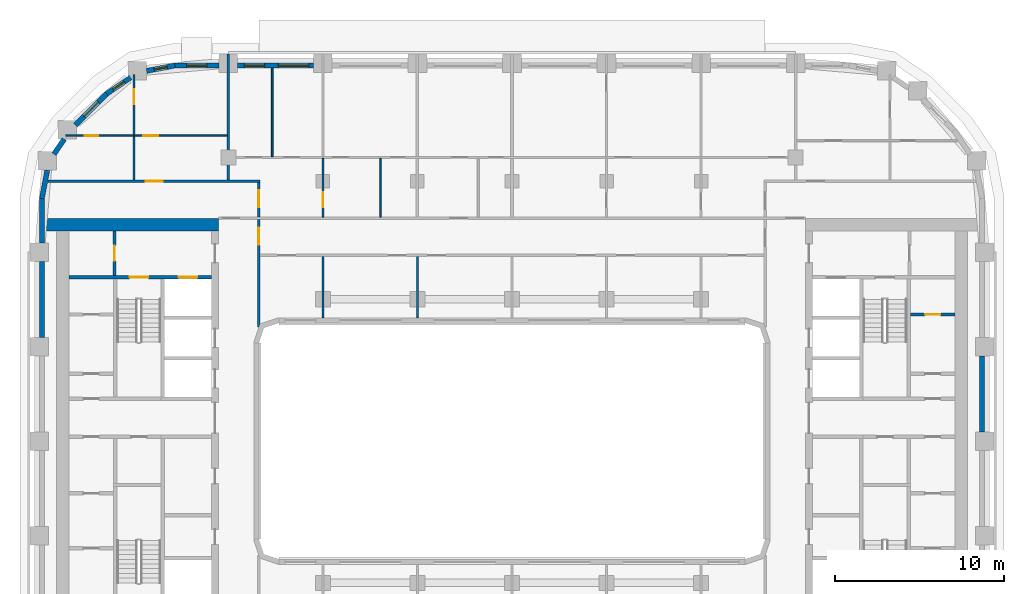
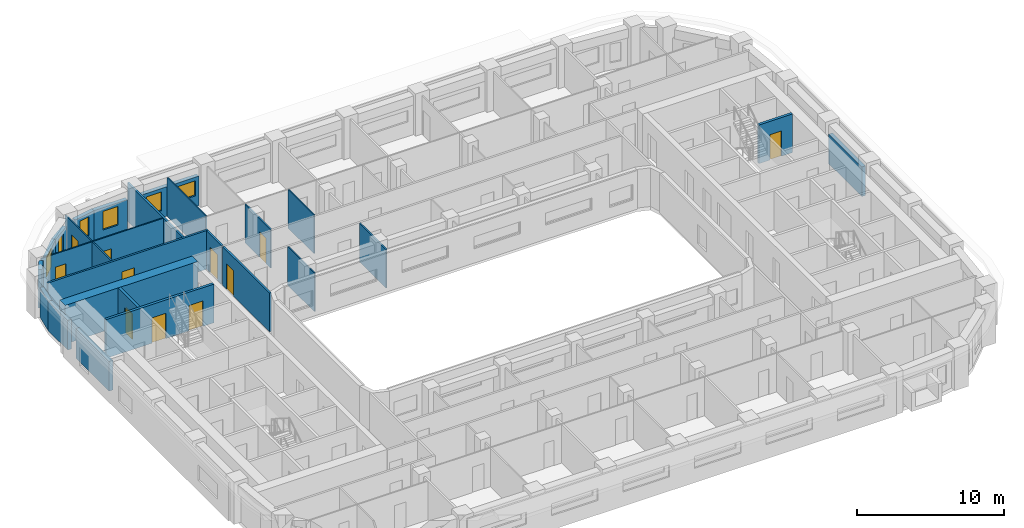
# One storey, part 7 of 22: 26 walls, 11 doors, 6 windows, 17 openings.
"""IFC4 building model written with IfcOpenShell, lengths in metres."""

import ifcopenshell
import ifcopenshell.guid

model = None  # the IFC model being written
_history = None  # IfcOwnerHistory: only IFC2X3 demands one
_inside = {}  # id of a spatial element -> (the spatial element, [elements in it])
_under = {}  # id of a project, library or spatial element -> (it, [spatial elements below it])
_declared = {}  # id of a project -> (the project, [libraries it declares])
_typed = {}  # id of a type object -> (the type object, [elements of that type])
_made_of = {}  # id of a material, layer set ... -> (it, [elements and type objects made of it])


def new_model(schema):
    """Start an empty IFC model of exactly this schema.

    Asked for "IFC4X3", IfcOpenShell would pick the latest addendum, in which some entities
    have other attributes; the version numbers below select the first issue.
    IFC2X3 requires an IfcOwnerHistory on every rooted entity: one is made here for all.
    """
    global model, _history
    if schema == "IFC4X3":
        model = ifcopenshell.file(schema_version=(4, 3, 0, 0))
    else:
        model = ifcopenshell.file(schema=schema)
    _inside.clear()
    _under.clear()
    _declared.clear()
    _typed.clear()
    _made_of.clear()
    _history = None
    if model.schema == "IFC2X3":
        org = make("IfcOrganization", Name="unknown")
        user = make(
            "IfcPersonAndOrganization",
            ThePerson=make("IfcPerson", FamilyName="unknown"),
            TheOrganization=org,
        )
        app = make(
            "IfcApplication",
            ApplicationDeveloper=org,
            Version="unknown",
            ApplicationFullName="unknown",
            ApplicationIdentifier="unknown",
        )
        _history = make(
            "IfcOwnerHistory",
            OwningUser=user,
            OwningApplication=app,
            ChangeAction="ADDED",
            CreationDate=0,
        )
    return model


def make(cls, **values):
    """One entity of the class cls with the attributes given. An attribute that is None is left unset."""
    return model.create_entity(
        cls, **{name: value for name, value in values.items() if value is not None}
    )


def rooted(cls, **values):
    """An entity with a GlobalId (a new one), such as an element, a storey or a relation."""
    return make(cls, GlobalId=ifcopenshell.guid.new(), OwnerHistory=_history, **values)


def si_unit(unit_type, name, prefix=None):
    """IfcSIUnit, for example si_unit("LENGTHUNIT", "METRE", prefix="MILLI")."""
    return make("IfcSIUnit", UnitType=unit_type, Prefix=prefix, Name=name)


def assignment(units):
    """IfcUnitAssignment: the units of a project."""
    return None if units is None else make("IfcUnitAssignment", Units=units)


def point(xyz):
    """IfcCartesianPoint."""
    return None if xyz is None else make("IfcCartesianPoint", Coordinates=xyz)


def direction(xyz):
    """IfcDirection."""
    return None if xyz is None else make("IfcDirection", DirectionRatios=xyz)


def frame(location, z_axis=None, x_axis=None):
    """IfcAxis2Placement3D, a coordinate frame: its origin and axes. An axis left out is left unset."""
    return make(
        "IfcAxis2Placement3D",
        Location=point(location),
        Axis=direction(z_axis),
        RefDirection=direction(x_axis),
    )


def frame_2d(location, x_axis=None):
    """IfcAxis2Placement2D, a coordinate frame in the plane: its origin and x axis."""
    return make(
        "IfcAxis2Placement2D", Location=point(location), RefDirection=direction(x_axis)
    )


def origin():
    """The frame at (0, 0, 0) with its axes left unset."""
    return frame((0.0, 0.0, 0.0))


def place(relative_to, where):
    """IfcLocalPlacement: puts the frame where relative to a parent placement (None: the world)."""
    return make(
        "IfcLocalPlacement", PlacementRelTo=relative_to, RelativePlacement=where
    )


def context(
    kind, dimensions, precision=None, world=None, true_north=None, identifier=None
):
    """IfcGeometricRepresentationContext, for example the 3D "Model" context."""
    return make(
        "IfcGeometricRepresentationContext",
        ContextIdentifier=identifier,
        ContextType=kind,
        CoordinateSpaceDimension=dimensions,
        Precision=precision,
        WorldCoordinateSystem=world,
        TrueNorth=true_north,
    )


def subcontext(parent, identifier, kind, view, scale=None):
    """IfcGeometricRepresentationSubContext, for example "Body" below "Model"."""
    return make(
        "IfcGeometricRepresentationSubContext",
        ContextIdentifier=identifier,
        ContextType=kind,
        ParentContext=parent,
        TargetScale=scale,
        TargetView=view,
    )


def project(units=None, contexts=None):
    """IfcProject with its units and contexts."""
    return rooted(
        "IfcProject",
        Name="project",
        RepresentationContexts=contexts,
        UnitsInContext=assignment(units),
    )


def spatial(cls, under=None, at=None, **own):
    """A site, building, storey or space (cls), placed at a placement, below another one or the project."""
    s = rooted(cls, ObjectPlacement=at, **own)
    if under is not None:
        _under.setdefault(under.id(), (under, []))[1].append(s)
    return s


def profile(cls, at=None, kind="AREA", **sizes):
    """A parametric profile (cls). Its sizes go by their IFC names, for example OverallWidth=200.0."""
    return make(cls, ProfileType=kind, Position=at, **sizes)


def rectangle(**sizes):
    """IfcRectangleProfileDef."""
    return profile("IfcRectangleProfileDef", **sizes)


def extrude(swept, where, along, depth):
    """IfcExtrudedAreaSolid: the profile swept, set in the frame where, extruded along a direction by depth."""
    return make(
        "IfcExtrudedAreaSolid",
        SweptArea=swept,
        Position=where,
        ExtrudedDirection=direction(along),
        Depth=depth,
    )


def shape(context_of_items, identifier, shape_type, items):
    """IfcShapeRepresentation: the items that make up one representation, for example the "Body"."""
    return make(
        "IfcShapeRepresentation",
        ContextOfItems=context_of_items,
        RepresentationIdentifier=identifier,
        RepresentationType=shape_type,
        Items=items,
    )


def material(Name=None, Category=None):
    """IfcMaterial."""
    return make("IfcMaterial", Name=Name, Category=Category)


def layer(
    of_material, thickness, ventilated=None, Name=None, Category=None, Priority=None
):
    """IfcMaterialLayer: one layer of a wall or slab, of a material (None: an air gap)."""
    return make(
        "IfcMaterialLayer",
        Material=of_material,
        LayerThickness=thickness,
        IsVentilated=ventilated,
        Name=Name,
        Category=Category,
        Priority=Priority,
    )


def layer_set(layers, Name=None):
    """IfcMaterialLayerSet."""
    return make("IfcMaterialLayerSet", MaterialLayers=layers, LayerSetName=Name)


def made_of(thing, what):
    """Note that an element or type object is made of a material, layer set ...; save() writes the relation."""
    if what is not None:
        _made_of.setdefault(what.id(), (what, []))[1].append(thing)
    return thing


def type_object(cls, material=None, **own):
    """A type object (cls), such as IfcWallType, which elements share."""
    return made_of(rooted(cls, **own), material)


def element(
    cls,
    number,
    at=None,
    inside=None,
    cuts=None,
    type_object=None,
    material=None,
    context=None,
    identifier="Body",
    shape_type=None,
    held_by="IfcProductDefinitionShape",
    body=None,
    shapes=None,
    **own,
):
    """One element of the class cls, such as IfcWall. Its Tag is "e" and its number.

    at: its placement. inside: the storey or other place that contains it. cuts: it is an
    opening in that element (IfcRelVoidsElement). A single representation is given by context,
    identifier, shape_type and body (its items); several are given by shapes. held_by: the class
    of the entity that holds the representations. save() writes the other relations.
    """
    e = rooted(cls, Tag="e%d" % number, ObjectPlacement=at, **own)
    if body is not None:
        shapes = [shape(context, identifier, shape_type, body)]
    if shapes is not None:
        e.Representation = make(held_by, Representations=shapes)
    if inside is not None:
        _inside.setdefault(inside.id(), (inside, []))[1].append(e)
    if cuts is not None:
        rooted(
            "IfcRelVoidsElement", RelatingBuildingElement=cuts, RelatedOpeningElement=e
        )
    if type_object is not None:
        _typed.setdefault(type_object.id(), (type_object, []))[1].append(e)
    return made_of(e, material)


def fill(opening, filler):
    """IfcRelFillsElement: the door or window that sits in an opening."""
    return rooted(
        "IfcRelFillsElement",
        RelatingOpeningElement=opening,
        RelatedBuildingElement=filler,
    )


def aggregate(whole, parts):
    """IfcRelAggregates: a whole, such as a stair, and the parts it consists of."""
    return rooted("IfcRelAggregates", RelatingObject=whole, RelatedObjects=parts)


def save(model, path):
    """Write the relations noted so far, then the file.

    IfcRelAggregates (storeys below a building ...), IfcRelContainedInSpatialStructure (elements
    in a storey), IfcRelDefinesByType, IfcRelAssociatesMaterial and IfcRelDeclares: one each for
    every whole, place, type object, material and project.
    """
    for whole, parts in _under.values():
        aggregate(whole, parts)
    for where, things in _inside.values():
        rooted(
            "IfcRelContainedInSpatialStructure",
            RelatedElements=things,
            RelatingStructure=where,
        )
    for kind, things in _typed.values():
        rooted("IfcRelDefinesByType", RelatedObjects=things, RelatingType=kind)
    for what, things in _made_of.values():
        rooted("IfcRelAssociatesMaterial", RelatedObjects=things, RelatingMaterial=what)
    for by, libraries in _declared.values():
        rooted("IfcRelDeclares", RelatingContext=by, RelatedDefinitions=libraries)
    model.write(path)


model = new_model("IFC4")

# Units and contexts
model_context = context("Model", 3, precision=1e-05, world=origin(), true_north=direction((0.0, 1.0)))
body_context = subcontext(model_context, "Body", "Model", "MODEL_VIEW")
ifc_project = project(units=[si_unit("LENGTHUNIT", "METRE"), si_unit("AREAUNIT", "SQUARE_METRE"), si_unit("VOLUMEUNIT", "CUBIC_METRE"), si_unit("PLANEANGLEUNIT", "RADIAN"), si_unit("MASSUNIT", "GRAM", prefix="KILO")], contexts=[model_context])

# Site, building, storey
site_placement = place(None, origin())
site = spatial("IfcSite", under=ifc_project, at=site_placement, CompositionType="ELEMENT")
building_placement = place(site_placement, origin())
building = spatial("IfcBuilding", under=site, at=building_placement, Name="Kiln Ring Residences", CompositionType="ELEMENT")
storey_placement = place(building_placement, frame((0.0, 0.0, 150.10009765625)))
storey = spatial("IfcBuildingStorey", under=building, at=storey_placement, Name="L38", CompositionType="ELEMENT", Elevation=150.10009765625)

# Wall, opening, door
ifc_material_1 = material(Name="Gypsum board on steel studs", Category="steel")
ifc_layer_1 = layer(ifc_material_1, 0.199951171875)
ifc_layer_set_1 = layer_set([ifc_layer_1], Name="CORE-PARTITION-200")
wall_type_1 = type_object("IfcWallType", Name="CORE-PARTITION-200", PredefinedType="PARTITIONING", material=ifc_layer_set_1)
wall_1_placement = place(storey_placement, frame((-23.550048828125, 9.800048828125, 0.0), z_axis=(0.0, 0.0, 1.0), x_axis=(0.0, 1.0, 0.0)))
wall_1 = element("IfcWall", 1, at=wall_1_placement, inside=storey, type_object=wall_type_1, Name="Core partition west L38 4", PredefinedType="PARTITIONING", context=body_context, shape_type="SweptSolid", body=[
    extrude(rectangle(XDim=2.64990234375, YDim=0.199951171875, at=frame_2d((1.324951171875, 0.0))), origin(), (0.0, 0.0, 1.0), 3.199951171875),
])
opening_1_placement = place(wall_1_placement, frame((0.875, 0.0, 0.0)))
opening_1 = element("IfcOpeningElement", 2, at=opening_1_placement, cuts=wall_1, Name="Opening L38-CW09", PredefinedType="OPENING", context=body_context, shape_type="SweptSolid", body=[
    extrude(rectangle(XDim=0.89990234375, YDim=2.10009765625, at=frame_2d((0.449951171875, 1.050048828125))), frame((0.0, 0.10986328125, 0.0), z_axis=(0.0, -1.0, 0.0), x_axis=(1.0, 0.0, 0.0)), (0.0, 0.0, 1.0), 0.219970703125),
])
ifc_material_2 = material(Name="Steel door leaf", Category="steel")
door_type_1 = type_object("IfcDoorType", Name="CORE-DOOR-ROOM", OperationType="SINGLE_SWING_LEFT", PredefinedType="DOOR", material=ifc_material_2)
door_1_placement = place(opening_1_placement, origin())
door_1 = element("IfcDoor", 3, at=door_1_placement, inside=storey, type_object=door_type_1, Name="Fire riser room L38-CW09", OperationType="SINGLE_SWING_LEFT", OverallHeight=2.10009765625, OverallWidth=0.89990234375, PredefinedType="DOOR", context=body_context, shape_type="SweptSolid", body=[
    extrude(rectangle(XDim=0.89990234375, YDim=2.10009765625, at=frame_2d((0.449951171875, 1.050048828125))), frame((0.0, 0.02490234375, 0.0), z_axis=(0.0, -1.0, 0.0), x_axis=(1.0, 0.0, 0.0)), (0.0, 0.0, 1.0), 0.050048828125),
])
fill(opening_1, door_1)

wall_2_placement = place(storey_placement, frame((23.60009765625, 7.5, 0.0), z_axis=(0.0, 0.0, 1.0), x_axis=(1.0, 0.0, 0.0)))
wall_2 = element("IfcWall", 4, at=wall_2_placement, inside=storey, type_object=wall_type_1, Name="Core partition east L38 9", PredefinedType="PARTITIONING", context=body_context, shape_type="SweptSolid", body=[
    extrude(rectangle(XDim=2.64990234375, YDim=0.199951171875, at=frame_2d((1.324951171875, 0.0))), origin(), (0.0, 0.0, 1.0), 3.199951171875),
])
opening_2_placement = place(wall_2_placement, frame((0.875, 0.0, 0.0)))
opening_2 = element("IfcOpeningElement", 5, at=opening_2_placement, cuts=wall_2, Name="Opening L38-CE19", PredefinedType="OPENING", context=body_context, shape_type="SweptSolid", body=[
    extrude(rectangle(XDim=0.89990234375, YDim=2.10009765625, at=frame_2d((0.449951171875, 1.050048828125))), frame((0.0, 0.10986328125, 0.0), z_axis=(0.0, -1.0, 0.0), x_axis=(1.0, 0.0, 0.0)), (0.0, 0.0, 1.0), 0.219970703125),
])
door_2_placement = place(opening_2_placement, origin())
door_2 = element("IfcDoor", 6, at=door_2_placement, inside=storey, type_object=door_type_1, Name="UPS room L38-CE19", OperationType="SINGLE_SWING_LEFT", OverallHeight=2.10009765625, OverallWidth=0.89990234375, PredefinedType="DOOR", context=body_context, shape_type="SweptSolid", body=[
    extrude(rectangle(XDim=0.89990234375, YDim=2.10009765625, at=frame_2d((0.449951171875, 1.050048828125))), frame((0.0, 0.02490234375, 0.0), z_axis=(0.0, -1.0, 0.0), x_axis=(1.0, 0.0, 0.0)), (0.0, 0.0, 1.0), 0.050048828125),
])
fill(opening_2, door_2)

# Wall, openings, doors
ifc_material_3 = material(Name="Concrete C40/50", Category="concrete")
ifc_layer_2 = layer(ifc_material_3, 0.199951171875)
ifc_layer_set_2 = layer_set([ifc_layer_2], Name="CORE-WALL-RC200")
wall_type_2 = type_object("IfcWallType", Name="CORE-WALL-RC200", PredefinedType="SHEAR", material=ifc_layer_set_2)
wall_3_placement = place(storey_placement, frame((-17.800048828125, 9.699951171875, 0.0), z_axis=(0.0, 0.0, 1.0), x_axis=(-1.0, 0.0, 0.0)))
wall_3 = element("IfcWall", 7, at=wall_3_placement, inside=storey, type_object=wall_type_2, Name="Core wall west L38 9", PredefinedType="SHEAR", context=body_context, shape_type="SweptSolid", body=[
    extrude(rectangle(XDim=8.449951171875, YDim=0.199951171875, at=frame_2d((4.22509765625, 0.0))), origin(), (0.0, 0.0, 1.0), 3.199951171875),
])
opening_3_placement = place(wall_3_placement, frame((0.85009765625, 0.0, 0.0)))
opening_3 = element("IfcOpeningElement", 8, at=opening_3_placement, cuts=wall_3, Name="Opening L38-CW06", PredefinedType="OPENING", context=body_context, shape_type="SweptSolid", body=[
    extrude(rectangle(XDim=1.10009765625, YDim=2.10009765625, at=frame_2d((0.550048828125, 1.050048828125))), frame((0.0, 0.10986328125, 0.0), z_axis=(0.0, -1.0, 0.0), x_axis=(1.0, 0.0, 0.0)), (0.0, 0.0, 1.0), 0.219970703125),
])
opening_4_placement = place(wall_3_placement, frame((3.75, 0.0, 0.0)))
opening_4 = element("IfcOpeningElement", 9, at=opening_4_placement, cuts=wall_3, Name="Opening L38-CW11", PredefinedType="OPENING", context=body_context, shape_type="SweptSolid", body=[
    extrude(rectangle(XDim=1.10009765625, YDim=2.10009765625, at=frame_2d((0.550048828125, 1.050048828125))), frame((0.0, 0.10986328125, 0.0), z_axis=(0.0, -1.0, 0.0), x_axis=(1.0, 0.0, 0.0)), (0.0, 0.0, 1.0), 0.219970703125),
])
ifc_material_4 = material(Name="Steel door leaf", Category="steel")
door_type_2 = type_object("IfcDoorType", Name="CORE-DOOR-LD", OperationType="DOUBLE_DOOR_SLIDING", PredefinedType="DOOR", material=ifc_material_4)
door_3_placement = place(opening_3_placement, origin())
door_3 = element("IfcDoor", 10, at=door_3_placement, inside=storey, type_object=door_type_2, Name="LD W-FF L38-CW06", OperationType="DOUBLE_DOOR_SLIDING", OverallHeight=2.10009765625, OverallWidth=1.10009765625, PredefinedType="DOOR", context=body_context, shape_type="SweptSolid", body=[
    extrude(rectangle(XDim=1.10009765625, YDim=2.10009765625, at=frame_2d((0.550048828125, 1.050048828125))), frame((0.0, 0.02490234375, 0.0), z_axis=(0.0, -1.0, 0.0), x_axis=(1.0, 0.0, 0.0)), (0.0, 0.0, 1.0), 0.050048828125),
])
fill(opening_3, door_3)
ifc_material_5 = material(Name="Steel door leaf", Category="steel")
door_type_3 = type_object("IfcDoorType", Name="CORE-DOOR-STAIR", OperationType="SINGLE_SWING_LEFT", PredefinedType="DOOR", material=ifc_material_5)
door_4_placement = place(opening_4_placement, origin())
door_4 = element("IfcDoor", 11, at=door_4_placement, inside=storey, type_object=door_type_3, Name="Stair W-STN L38-CW11", OperationType="SINGLE_SWING_LEFT", OverallHeight=2.10009765625, OverallWidth=1.10009765625, PredefinedType="DOOR", context=body_context, shape_type="SweptSolid", body=[
    extrude(rectangle(XDim=1.10009765625, YDim=2.10009765625, at=frame_2d((0.550048828125, 1.050048828125))), frame((0.0, 0.02490234375, 0.0), z_axis=(0.0, -1.0, 0.0), x_axis=(1.0, 0.0, 0.0)), (0.0, 0.0, 1.0), 0.050048828125),
])
fill(opening_4, door_4)

# Walls
ifc_material_6 = material(Name="Concrete C60/75", Category="concrete")
ifc_layer_3 = layer(ifc_material_6, 0.75)
ifc_layer_set_3 = layer_set([ifc_layer_3], Name="CORE-WALL-RC750")
wall_type_3 = type_object("IfcWallType", Name="CORE-WALL-RC750", PredefinedType="SHEAR", material=ifc_layer_set_3)
wall_4_placement = place(storey_placement, frame((-17.39990234375, 12.824951171875, 0.0), z_axis=(0.0, 0.0, 1.0), x_axis=(-1.0, 0.0, 0.0)))
element("IfcWall", 12, at=wall_4_placement, inside=storey, type_object=wall_type_3, Name="Core wall west L38 4", PredefinedType="SHEAR", context=body_context, shape_type="SweptSolid", body=[
    extrude(rectangle(XDim=10.400146484375, YDim=0.75, at=frame_2d((5.2001953125, 0.0))), origin(), (0.0, 0.0, 1.0), 3.199951171875),
])
ifc_material_7 = material(Name="Brick masonry, dark clay brick", Category="masonry")
ifc_layer_4 = layer(ifc_material_7, 0.300048828125)
ifc_layer_set_4 = layer_set([ifc_layer_4], Name="EW-300 BRICK WALL")
wall_type_4 = type_object("IfcWallType", Name="EW-300 BRICK WALL", PredefinedType="SOLIDWALL", material=ifc_layer_set_4)
wall_5_placement = place(storey_placement, frame((27.85009765625, 0.550048828125, 0.0), z_axis=(0.0, 0.0, 1.0), x_axis=(0.0, 1.0, 0.0)))
element("IfcWall", 13, at=wall_5_placement, inside=storey, type_object=wall_type_4, Name="Facade wall L38 20", PredefinedType="SOLIDWALL", context=body_context, shape_type="SweptSolid", body=[
    extrude(rectangle(XDim=4.5, YDim=0.300048828125, at=frame_2d((2.25, 0.0))), origin(), (0.0, 0.0, 1.0), 2.449951171875),
])

# Wall, openings, windows
wall_6_placement = place(storey_placement, frame((-11.75, 22.25, 0.0), z_axis=(0.0, 0.0, 1.0), x_axis=(-1.0, 0.0, 0.0)))
wall_6 = element("IfcWall", 14, at=wall_6_placement, inside=storey, type_object=wall_type_4, Name="Facade wall L38 34", PredefinedType="SOLIDWALL", context=body_context, shape_type="SweptSolid", body=[
    extrude(rectangle(XDim=4.5, YDim=0.300048828125, at=frame_2d((2.25, 0.0))), origin(), (0.0, 0.0, 1.0), 2.449951171875),
])
opening_5_placement = place(wall_6_placement, frame((0.28759765625, 0.0, 0.89990234375)))
opening_5 = element("IfcOpeningElement", 15, at=opening_5_placement, cuts=wall_6, Name="Opening W2", PredefinedType="OPENING", context=body_context, shape_type="SweptSolid", body=[
    extrude(rectangle(XDim=1.800048828125, YDim=1.25, at=frame_2d((0.89990234375, 0.625))), frame((0.0, 0.159912109375, 0.0), z_axis=(0.0, -1.0, 0.0), x_axis=(1.0, 0.0, 0.0)), (0.0, 0.0, 1.0), 0.320068359375),
])
opening_6_placement = place(wall_6_placement, frame((2.91259765625, 0.0, 0.60009765625)))
opening_6 = element("IfcOpeningElement", 16, at=opening_6_placement, cuts=wall_6, Name="Opening W1", PredefinedType="OPENING", context=body_context, shape_type="SweptSolid", body=[
    extrude(rectangle(XDim=1.199951171875, YDim=1.550048828125, at=frame_2d((0.60009765625, 0.77490234375))), frame((0.0, 0.159912109375, 0.0), z_axis=(0.0, -1.0, 0.0), x_axis=(1.0, 0.0, 0.0)), (0.0, 0.0, 1.0), 0.320068359375),
])
ifc_material_8 = material(Name="Aluminium frame with double glazing", Category="aluminium")
window_type_1 = type_object("IfcWindowType", Name="WINDOW 1200 x 1550", PartitioningType="SINGLE_PANEL", PredefinedType="WINDOW", material=ifc_material_8)
window_1_placement = place(opening_6_placement, origin())
window_1 = element("IfcWindow", 17, at=window_1_placement, inside=storey, type_object=window_type_1, Name="Window L38 23", OverallHeight=1.550048828125, OverallWidth=1.199951171875, PartitioningType="SINGLE_PANEL", PredefinedType="WINDOW", context=body_context, shape_type="SweptSolid", body=[
    extrude(rectangle(XDim=1.199951171875, YDim=1.550048828125, at=frame_2d((0.60009765625, 0.77490234375))), frame((0.0, 0.030029296875, 0.0), z_axis=(0.0, -1.0, 0.0), x_axis=(1.0, 0.0, 0.0)), (0.0, 0.0, 1.0), 0.06005859375),
])
fill(opening_6, window_1)
ifc_material_9 = material(Name="Aluminium frame with double glazing", Category="aluminium")
window_type_2 = type_object("IfcWindowType", Name="WINDOW 1800 x 1250", PartitioningType="SINGLE_PANEL", PredefinedType="WINDOW", material=ifc_material_9)
window_2_placement = place(opening_5_placement, origin())
window_2 = element("IfcWindow", 18, at=window_2_placement, inside=storey, type_object=window_type_2, Name="Window L38 22", OverallHeight=1.25, OverallWidth=1.800048828125, PartitioningType="SINGLE_PANEL", PredefinedType="WINDOW", context=body_context, shape_type="SweptSolid", body=[
    extrude(rectangle(XDim=1.800048828125, YDim=1.25, at=frame_2d((0.89990234375, 0.625))), frame((0.0, 0.030029296875, 0.0), z_axis=(0.0, -1.0, 0.0), x_axis=(1.0, 0.0, 0.0)), (0.0, 0.0, 1.0), 0.06005859375),
])
fill(opening_5, window_2)

# Wall, opening, window
wall_7_placement = place(storey_placement, frame((-17.35009765625, 22.25, 0.0), z_axis=(0.0, 0.0, 1.0), x_axis=(-1.0, 0.0, 0.0)))
wall_7 = element("IfcWall", 19, at=wall_7_placement, inside=storey, type_object=wall_type_4, Name="Facade wall L38 35", PredefinedType="SOLIDWALL", context=body_context, shape_type="SweptSolid", body=[
    extrude(rectangle(XDim=2.64990234375, YDim=0.300048828125, at=frame_2d((1.324951171875, 0.0))), origin(), (0.0, 0.0, 1.0), 2.449951171875),
])
opening_7_placement = place(wall_7_placement, frame((0.72509765625, 0.0, 0.60009765625)))
opening_7 = element("IfcOpeningElement", 20, at=opening_7_placement, cuts=wall_7, Name="Opening W1", PredefinedType="OPENING", context=body_context, shape_type="SweptSolid", body=[
    extrude(rectangle(XDim=1.199951171875, YDim=1.550048828125, at=frame_2d((0.60009765625, 0.77490234375))), frame((0.0, 0.159912109375, 0.0), z_axis=(0.0, -1.0, 0.0), x_axis=(1.0, 0.0, 0.0)), (0.0, 0.0, 1.0), 0.320068359375),
])
window_3_placement = place(opening_7_placement, origin())
window_3 = element("IfcWindow", 21, at=window_3_placement, inside=storey, type_object=window_type_1, Name="Window L38 24", OverallHeight=1.550048828125, OverallWidth=1.199951171875, PartitioningType="SINGLE_PANEL", PredefinedType="WINDOW", context=body_context, shape_type="SweptSolid", body=[
    extrude(rectangle(XDim=1.199951171875, YDim=1.550048828125, at=frame_2d((0.60009765625, 0.77490234375))), frame((0.0, 0.030029296875, 0.0), z_axis=(0.0, -1.0, 0.0), x_axis=(1.0, 0.0, 0.0)), (0.0, 0.0, 1.0), 0.06005859375),
])
fill(opening_7, window_3)

wall_8_placement = place(storey_placement, frame((-19.971923828125, 22.252685546875, 0.0), z_axis=(0.0, 0.0, 1.0), x_axis=(-0.982297206936, -0.187329114784, 0.0)))
wall_8 = element("IfcWall", 22, at=wall_8_placement, inside=storey, type_object=wall_type_4, Name="Facade wall L38 36", PredefinedType="SOLIDWALL", context=body_context, shape_type="SweptSolid", body=[
    extrude(rectangle(XDim=1.7060546875, YDim=0.300048828125, at=frame_2d((0.85302734375, 0.0))), origin(), (0.0, 0.0, 1.0), 2.449951171875),
])
opening_8_placement = place(wall_8_placement, frame((0.453125, 0.0, 0.60009765625)))
opening_8 = element("IfcOpeningElement", 23, at=opening_8_placement, cuts=wall_8, Name="Opening W5", PredefinedType="OPENING", context=body_context, shape_type="SweptSolid", body=[
    extrude(rectangle(XDim=0.800048828125, YDim=1.550048828125, at=frame_2d((0.39990234375, 0.77490234375))), frame((0.0, 0.159912109375, 0.0), z_axis=(0.0, -1.0, 0.0), x_axis=(1.0, 0.0, 0.0)), (0.0, 0.0, 1.0), 0.320068359375),
])
ifc_material_10 = material(Name="Aluminium frame with double glazing", Category="aluminium")
window_type_3 = type_object("IfcWindowType", Name="WINDOW 800 x 1550", PartitioningType="SINGLE_PANEL", PredefinedType="WINDOW", material=ifc_material_10)
window_4_placement = place(opening_8_placement, origin())
window_4 = element("IfcWindow", 24, at=window_4_placement, inside=storey, type_object=window_type_3, Name="Window L38 25", OverallHeight=1.550048828125, OverallWidth=0.800048828125, PartitioningType="SINGLE_PANEL", PredefinedType="WINDOW", context=body_context, shape_type="SweptSolid", body=[
    extrude(rectangle(XDim=0.800048828125, YDim=1.550048828125, at=frame_2d((0.39990234375, 0.77490234375))), frame((0.0, 0.030029296875, 0.0), z_axis=(0.0, -1.0, 0.0), x_axis=(1.0, 0.0, 0.0)), (0.0, 0.0, 1.0), 0.06005859375),
])
fill(opening_8, window_4)

wall_9_placement = place(storey_placement, frame((-22.601806640625, 21.537841796875, 0.0), z_axis=(0.0, 0.0, 1.0), x_axis=(-0.827040942766, -0.562141689424, 0.0)))
wall_9 = element("IfcWall", 25, at=wall_9_placement, inside=storey, type_object=wall_type_4, Name="Facade wall L38 37", PredefinedType="SOLIDWALL", context=body_context, shape_type="SweptSolid", body=[
    extrude(rectangle(XDim=1.7060546875, YDim=0.300048828125, at=frame_2d((0.85302734375, 0.0))), origin(), (0.0, 0.0, 1.0), 2.449951171875),
])
opening_9_placement = place(wall_9_placement, frame((0.453125, 0.0, 0.60009765625)))
opening_9 = element("IfcOpeningElement", 26, at=opening_9_placement, cuts=wall_9, Name="Opening W5", PredefinedType="OPENING", context=body_context, shape_type="SweptSolid", body=[
    extrude(rectangle(XDim=0.800048828125, YDim=1.550048828125, at=frame_2d((0.39990234375, 0.77490234375))), frame((0.0, 0.159912109375, 0.0), z_axis=(0.0, -1.0, 0.0), x_axis=(1.0, 0.0, 0.0)), (0.0, 0.0, 1.0), 0.320068359375),
])
window_5_placement = place(opening_9_placement, origin())
window_5 = element("IfcWindow", 27, at=window_5_placement, inside=storey, type_object=window_type_3, Name="Window L38 26", OverallHeight=1.550048828125, OverallWidth=0.800048828125, PartitioningType="SINGLE_PANEL", PredefinedType="WINDOW", context=body_context, shape_type="SweptSolid", body=[
    extrude(rectangle(XDim=0.800048828125, YDim=1.550048828125, at=frame_2d((0.39990234375, 0.77490234375))), frame((0.0, 0.030029296875, 0.0), z_axis=(0.0, -1.0, 0.0), x_axis=(1.0, 0.0, 0.0)), (0.0, 0.0, 1.0), 0.06005859375),
])
fill(opening_9, window_5)

wall_10_placement = place(storey_placement, frame((-23.990966796875, 20.596923828125, 0.0), z_axis=(0.0, 0.0, 1.0), x_axis=(-0.707106781187, -0.707106781187, 0.0)))
wall_10 = element("IfcWall", 28, at=wall_10_placement, inside=storey, type_object=wall_type_4, Name="Facade wall L38 38", PredefinedType="SOLIDWALL", context=body_context, shape_type="SweptSolid", body=[
    extrude(rectangle(XDim=2.64990234375, YDim=0.300048828125, at=frame_2d((1.324951171875, 0.0))), origin(), (0.0, 0.0, 1.0), 2.449951171875),
])
opening_10_placement = place(wall_10_placement, frame((0.72509765625, 0.0, 0.60009765625)))
opening_10 = element("IfcOpeningElement", 29, at=opening_10_placement, cuts=wall_10, Name="Opening W1", PredefinedType="OPENING", context=body_context, shape_type="SweptSolid", body=[
    extrude(rectangle(XDim=1.199951171875, YDim=1.550048828125, at=frame_2d((0.60009765625, 0.77490234375))), frame((0.0, 0.159912109375, 0.0), z_axis=(0.0, -1.0, 0.0), x_axis=(1.0, 0.0, 0.0)), (0.0, 0.0, 1.0), 0.320068359375),
])
window_6_placement = place(opening_10_placement, origin())
window_6 = element("IfcWindow", 30, at=window_6_placement, inside=storey, type_object=window_type_1, Name="Window L38 27", OverallHeight=1.550048828125, OverallWidth=1.199951171875, PartitioningType="SINGLE_PANEL", PredefinedType="WINDOW", context=body_context, shape_type="SweptSolid", body=[
    extrude(rectangle(XDim=1.199951171875, YDim=1.550048828125, at=frame_2d((0.60009765625, 0.77490234375))), frame((0.0, 0.030029296875, 0.0), z_axis=(0.0, -1.0, 0.0), x_axis=(1.0, 0.0, 0.0)), (0.0, 0.0, 1.0), 0.06005859375),
])
fill(opening_10, window_6)

# Walls
wall_11_placement = place(storey_placement, frame((-26.532470703125, 17.892578125, 0.0), z_axis=(0.0, 0.0, 1.0), x_axis=(-0.562105419172, -0.82706559458, 0.0)))
element("IfcWall", 31, at=wall_11_placement, inside=storey, type_object=wall_type_4, Name="Facade wall L38 39", PredefinedType="SOLIDWALL", context=body_context, shape_type="SweptSolid", body=[
    extrude(rectangle(XDim=1.0771484375, YDim=0.300048828125, at=frame_2d((0.53857421875, 0.0))), origin(), (0.0, 0.0, 1.0), 3.199951171875),
])
wall_12_placement = place(storey_placement, frame((-27.532958984375, 16.0478515625, 0.0), z_axis=(0.0, 0.0, 1.0), x_axis=(-0.187302784601, -0.982302227871, 0.0)))
element("IfcWall", 32, at=wall_12_placement, inside=storey, type_object=wall_type_4, Name="Facade wall L38 40", PredefinedType="SOLIDWALL", context=body_context, shape_type="SweptSolid", body=[
    extrude(rectangle(XDim=1.706298828125, YDim=0.300048828125, at=frame_2d((0.85302734375, 0.0))), origin(), (0.0, 0.0, 1.0), 2.449951171875),
])
wall_13_placement = place(storey_placement, frame((-27.85009765625, 14.39990234375, 0.0), z_axis=(0.0, 0.0, 1.0), x_axis=(0.0, -1.0, 0.0)))
element("IfcWall", 33, at=wall_13_placement, inside=storey, type_object=wall_type_4, Name="Facade wall L38 41", PredefinedType="SOLIDWALL", context=body_context, shape_type="SweptSolid", body=[
    extrude(rectangle(XDim=2.64990234375, YDim=0.300048828125, at=frame_2d((1.324951171875, 0.0))), origin(), (0.0, 0.0, 1.0), 2.449951171875),
])
wall_14_placement = place(storey_placement, frame((-27.85009765625, 10.64990234375, 0.0), z_axis=(0.0, 0.0, 1.0), x_axis=(0.0, -1.0, 0.0)))
element("IfcWall", 34, at=wall_14_placement, inside=storey, type_object=wall_type_4, Name="Facade wall L38 42", PredefinedType="SOLIDWALL", context=body_context, shape_type="SweptSolid", body=[
    extrude(rectangle(XDim=4.5, YDim=0.300048828125, at=frame_2d((2.25, 0.0))), origin(), (0.0, 0.0, 1.0), 2.449951171875),
])

# Wall, openings, doors
ifc_material_11 = material(Name="Gypsum board on steel studs", Category="steel")
ifc_layer_5 = layer(ifc_material_11, 0.10009765625)
ifc_layer_set_5 = layer_set([ifc_layer_5], Name="PARTITION-100")
wall_type_5 = type_object("IfcWallType", Name="PARTITION-100", PredefinedType="PARTITIONING", material=ifc_layer_set_5)
wall_15_placement = place(storey_placement, frame((-26.43994140625, 18.10009765625, 0.0), z_axis=(0.0, 0.0, 1.0), x_axis=(1.0, 0.0, 0.0)))
wall_15 = element("IfcWall", 35, at=wall_15_placement, inside=storey, type_object=wall_type_5, Name="Partition 013", PredefinedType="PARTITIONING", context=body_context, shape_type="SweptSolid", body=[
    extrude(rectangle(XDim=9.56494140625, YDim=0.10009765625, at=frame_2d((4.782470703125, 0.0))), origin(), (0.0, 0.0, 1.0), 3.199951171875),
])
opening_11_placement = place(wall_15_placement, frame((1.1259765625, 0.0, 0.0)))
opening_11 = element("IfcOpeningElement", 36, at=opening_11_placement, cuts=wall_15, Name="Opening L38-D035", PredefinedType="OPENING", context=body_context, shape_type="SweptSolid", body=[
    extrude(rectangle(XDim=0.800048828125, YDim=2.10009765625, at=frame_2d((0.39990234375, 1.050048828125))), frame((0.0, 0.06005859375, 0.0), z_axis=(0.0, -1.0, 0.0), x_axis=(1.0, 0.0, 0.0)), (0.0, 0.0, 1.0), 0.1201171875),
])
opening_12_placement = place(wall_15_placement, frame((4.590087890625, 0.0, 0.0)))
opening_12 = element("IfcOpeningElement", 37, at=opening_12_placement, cuts=wall_15, Name="Opening L38-D036", PredefinedType="OPENING", context=body_context, shape_type="SweptSolid", body=[
    extrude(rectangle(XDim=0.89990234375, YDim=2.10009765625, at=frame_2d((0.449951171875, 1.050048828125))), frame((0.0, 0.06005859375, 0.0), z_axis=(0.0, -1.0, 0.0), x_axis=(1.0, 0.0, 0.0)), (0.0, 0.0, 1.0), 0.1201171875),
])
ifc_material_12 = material(Name="Timber door leaf", Category="wood")
door_type_4 = type_object("IfcDoorType", Name="FLAT-DOOR-800-PL", OperationType="SINGLE_SWING_LEFT", PredefinedType="DOOR", material=ifc_material_12)
door_5_placement = place(opening_11_placement, origin())
door_5 = element("IfcDoor", 38, at=door_5_placement, inside=storey, type_object=door_type_4, Name="Door L38-D035", OperationType="SINGLE_SWING_LEFT", OverallHeight=2.10009765625, OverallWidth=0.800048828125, PredefinedType="DOOR", context=body_context, shape_type="SweptSolid", body=[
    extrude(rectangle(XDim=0.800048828125, YDim=2.10009765625, at=frame_2d((0.39990234375, 1.050048828125))), frame((0.0, 0.02490234375, 0.0), z_axis=(0.0, -1.0, 0.0), x_axis=(1.0, 0.0, 0.0)), (0.0, 0.0, 1.0), 0.050048828125),
])
fill(opening_11, door_5)
ifc_material_13 = material(Name="Timber door leaf", Category="wood")
door_type_5 = type_object("IfcDoorType", Name="FLAT-DOOR-900-PL", OperationType="SINGLE_SWING_LEFT", PredefinedType="DOOR", material=ifc_material_13)
door_6_placement = place(opening_12_placement, origin())
door_6 = element("IfcDoor", 39, at=door_6_placement, inside=storey, type_object=door_type_5, Name="Door L38-D036", OperationType="SINGLE_SWING_RIGHT", OverallHeight=2.10009765625, OverallWidth=0.89990234375, PredefinedType="DOOR", context=body_context, shape_type="SweptSolid", body=[
    extrude(rectangle(XDim=0.89990234375, YDim=2.10009765625, at=frame_2d((0.449951171875, 1.050048828125))), frame((0.0, 0.02490234375, 0.0), z_axis=(0.0, -1.0, 0.0), x_axis=(1.0, 0.0, 0.0)), (0.0, 0.0, 1.0), 0.050048828125),
])
fill(opening_12, door_6)

# Wall
wall_16_placement = place(storey_placement, frame((-22.39990234375, 15.47509765625, 0.0), z_axis=(0.0, 0.0, 1.0), x_axis=(0.0, 1.0, 0.0)))
element("IfcWall", 40, at=wall_16_placement, inside=storey, type_object=wall_type_5, Name="Partition 016", PredefinedType="PARTITIONING", context=body_context, shape_type="SweptSolid", body=[
    extrude(rectangle(XDim=2.574951171875, YDim=0.10009765625, at=frame_2d((1.28759765625, 0.0))), origin(), (0.0, 0.0, 1.0), 3.199951171875),
])

# Wall, opening, door
wall_17_placement = place(storey_placement, frame((-22.39990234375, 18.14990234375, 0.0), z_axis=(0.0, 0.0, 1.0), x_axis=(0.0, 1.0, 0.0)))
wall_17 = element("IfcWall", 41, at=wall_17_placement, inside=storey, type_object=wall_type_5, Name="Partition 017", PredefinedType="PARTITIONING", context=body_context, shape_type="SweptSolid", body=[
    extrude(rectangle(XDim=3.570068359375, YDim=0.10009765625, at=frame_2d((1.78515625, 0.0))), origin(), (0.0, 0.0, 1.0), 3.199951171875),
])
opening_13_placement = place(wall_17_placement, frame((1.798095703125, 0.0, 0.0)))
opening_13 = element("IfcOpeningElement", 42, at=opening_13_placement, cuts=wall_17, Name="Opening L38-D037", PredefinedType="OPENING", context=body_context, shape_type="SweptSolid", body=[
    extrude(rectangle(XDim=0.89990234375, YDim=2.10009765625, at=frame_2d((0.449951171875, 1.050048828125))), frame((0.0, 0.06005859375, 0.0), z_axis=(0.0, -1.0, 0.0), x_axis=(1.0, 0.0, 0.0)), (0.0, 0.0, 1.0), 0.1201171875),
])
door_7_placement = place(opening_13_placement, origin())
door_7 = element("IfcDoor", 43, at=door_7_placement, inside=storey, type_object=door_type_5, Name="Door L38-D037", OperationType="SINGLE_SWING_LEFT", OverallHeight=2.10009765625, OverallWidth=0.89990234375, PredefinedType="DOOR", context=body_context, shape_type="SweptSolid", body=[
    extrude(rectangle(XDim=0.89990234375, YDim=2.10009765625, at=frame_2d((0.449951171875, 1.050048828125))), frame((0.0, 0.02490234375, 0.0), z_axis=(0.0, -1.0, 0.0), x_axis=(1.0, 0.0, 0.0)), (0.0, 0.0, 1.0), 0.050048828125),
])
fill(opening_13, door_7)

# Walls
wall_18_placement = place(storey_placement, frame((-14.199951171875, 16.85009765625, 0.0), z_axis=(0.0, 0.0, 1.0), x_axis=(0.0, 1.0, 0.0)))
element("IfcWall", 44, at=wall_18_placement, inside=storey, type_object=wall_type_5, Name="Partition 024", PredefinedType="PARTITIONING", context=body_context, shape_type="SweptSolid", body=[
    extrude(rectangle(XDim=5.22998046875, YDim=0.10009765625, at=frame_2d((2.614990234375, 0.0))), origin(), (0.0, 0.0, 1.0), 3.199951171875),
])
wall_19_placement = place(storey_placement, frame((-11.199951171875, 7.320068359375, 0.0), z_axis=(0.0, 0.0, 1.0), x_axis=(0.0, 1.0, 0.0)))
element("IfcWall", 45, at=wall_19_placement, inside=storey, type_object=wall_type_5, Name="Partition 028", PredefinedType="PARTITIONING", context=body_context, shape_type="SweptSolid", body=[
    extrude(rectangle(XDim=3.60498046875, YDim=0.10009765625, at=frame_2d((1.802490234375, 0.0))), origin(), (0.0, 0.0, 1.0), 3.199951171875),
])

# Wall, opening, door
wall_20_placement = place(storey_placement, frame((-11.199951171875, 13.27490234375, 0.0), z_axis=(0.0, 0.0, 1.0), x_axis=(0.0, 1.0, 0.0)))
wall_20 = element("IfcWall", 46, at=wall_20_placement, inside=storey, type_object=wall_type_5, Name="Partition 029", PredefinedType="PARTITIONING", context=body_context, shape_type="SweptSolid", body=[
    extrude(rectangle(XDim=3.47509765625, YDim=0.10009765625, at=frame_2d((1.737548828125, 0.0))), origin(), (0.0, 0.0, 1.0), 3.199951171875),
])
opening_14_placement = place(wall_20_placement, frame((0.575927734375, 0.0, 0.0)))
opening_14 = element("IfcOpeningElement", 47, at=opening_14_placement, cuts=wall_20, Name="Opening L38-D016", PredefinedType="OPENING", context=body_context, shape_type="SweptSolid", body=[
    extrude(rectangle(XDim=0.89990234375, YDim=2.10009765625, at=frame_2d((0.449951171875, 1.050048828125))), frame((0.0, 0.06005859375, 0.0), z_axis=(0.0, -1.0, 0.0), x_axis=(1.0, 0.0, 0.0)), (0.0, 0.0, 1.0), 0.1201171875),
])
door_8_placement = place(opening_14_placement, origin())
door_8 = element("IfcDoor", 48, at=door_8_placement, inside=storey, type_object=door_type_5, Name="Door L38-D016", OperationType="SINGLE_SWING_LEFT", OverallHeight=2.10009765625, OverallWidth=0.89990234375, PredefinedType="DOOR", context=body_context, shape_type="SweptSolid", body=[
    extrude(rectangle(XDim=0.89990234375, YDim=2.10009765625, at=frame_2d((0.449951171875, 1.050048828125))), frame((0.0, 0.02490234375, 0.0), z_axis=(0.0, -1.0, 0.0), x_axis=(1.0, 0.0, 0.0)), (0.0, 0.0, 1.0), 0.050048828125),
])
fill(opening_14, door_8)

# Walls
wall_21_placement = place(storey_placement, frame((-7.800048828125, 13.27490234375, 0.0), z_axis=(0.0, 0.0, 1.0), x_axis=(0.0, 1.0, 0.0)))
element("IfcWall", 49, at=wall_21_placement, inside=storey, type_object=wall_type_5, Name="Partition 031", PredefinedType="PARTITIONING", context=body_context, shape_type="SweptSolid", body=[
    extrude(rectangle(XDim=3.47509765625, YDim=0.10009765625, at=frame_2d((1.737548828125, 0.0))), origin(), (0.0, 0.0, 1.0), 3.199951171875),
])
wall_22_placement = place(storey_placement, frame((-5.60009765625, 7.320068359375, 0.0), z_axis=(0.0, 0.0, 1.0), x_axis=(0.0, 1.0, 0.0)))
element("IfcWall", 50, at=wall_22_placement, inside=storey, type_object=wall_type_5, Name="Partition 033", PredefinedType="PARTITIONING", context=body_context, shape_type="SweptSolid", body=[
    extrude(rectangle(XDim=3.60498046875, YDim=0.10009765625, at=frame_2d((1.802490234375, 0.0))), origin(), (0.0, 0.0, 1.0), 3.199951171875),
])

# Wall, opening, door
ifc_material_14 = material(Name="Brick masonry partition", Category="masonry")
ifc_layer_6 = layer(ifc_material_14, 0.14990234375)
ifc_layer_set_6 = layer_set([ifc_layer_6], Name="PARTITION-150-ei60")
wall_type_6 = type_object("IfcWallType", Name="PARTITION-150-ei60", PredefinedType="PARTITIONING", material=ifc_layer_set_6)
wall_23_placement = place(storey_placement, frame((-27.48388671875, 15.39990234375, 0.0), z_axis=(0.0, 0.0, 1.0), x_axis=(1.0, 0.0, 0.0)))
wall_23 = element("IfcWall", 51, at=wall_23_placement, inside=storey, type_object=wall_type_6, Name="Partition 009", PredefinedType="PARTITIONING", context=body_context, shape_type="SweptSolid", body=[
    extrude(rectangle(XDim=12.558837890625, YDim=0.14990234375, at=frame_2d((6.279296875, 0.0))), origin(), (0.0, 0.0, 1.0), 3.199951171875),
])
opening_15_placement = place(wall_23_placement, frame((5.78369140625, 0.0, 0.0)))
opening_15 = element("IfcOpeningElement", 52, at=opening_15_placement, cuts=wall_23, Name="Opening L38-D034", PredefinedType="OPENING", context=body_context, shape_type="SweptSolid", body=[
    extrude(rectangle(XDim=1.0, YDim=2.10009765625, at=frame_2d((0.5, 1.050048828125))), frame((0.0, 0.0849609375, 0.0), z_axis=(0.0, -1.0, 0.0), x_axis=(1.0, 0.0, 0.0)), (0.0, 0.0, 1.0), 0.169921875),
])
ifc_material_15 = material(Name="Steel faced fire door leaf", Category="steel")
door_type_6 = type_object("IfcDoorType", Name="FLAT-DOOR-1000-FR", OperationType="SINGLE_SWING_LEFT", PredefinedType="DOOR", material=ifc_material_15)
door_9_placement = place(opening_15_placement, origin())
door_9 = element("IfcDoor", 53, at=door_9_placement, inside=storey, type_object=door_type_6, Name="Door L38-D034", OperationType="SINGLE_SWING_RIGHT", OverallHeight=2.10009765625, OverallWidth=1.0, PredefinedType="DOOR", context=body_context, shape_type="SweptSolid", body=[
    extrude(rectangle(XDim=1.0, YDim=2.10009765625, at=frame_2d((0.5, 1.050048828125))), frame((0.0, 0.02490234375, 0.0), z_axis=(0.0, -1.0, 0.0), x_axis=(1.0, 0.0, 0.0)), (0.0, 0.0, 1.0), 0.050048828125),
])
fill(opening_15, door_9)

# Wall
wall_24_placement = place(storey_placement, frame((-16.800048828125, 15.47509765625, 0.0), z_axis=(0.0, 0.0, 1.0), x_axis=(0.0, 1.0, 0.0)))
element("IfcWall", 54, at=wall_24_placement, inside=storey, type_object=wall_type_6, Name="Partition 019", PredefinedType="PARTITIONING", context=body_context, shape_type="SweptSolid", body=[
    extrude(rectangle(XDim=7.454833984375, YDim=0.14990234375, at=frame_2d((3.7275390625, 0.0))), origin(), (0.0, 0.0, 1.0), 3.199951171875),
])

# Wall, opening, door
wall_25_placement = place(storey_placement, frame((-15.0, 6.768798828125, 0.0), z_axis=(0.0, 0.0, 1.0), x_axis=(0.0, 1.0, 0.0)))
wall_25 = element("IfcWall", 55, at=wall_25_placement, inside=storey, type_object=wall_type_6, Name="Partition 022", PredefinedType="PARTITIONING", context=body_context, shape_type="SweptSolid", body=[
    extrude(rectangle(XDim=6.356201171875, YDim=0.14990234375, at=frame_2d((3.17822265625, 0.0))), origin(), (0.0, 0.0, 1.0), 3.199951171875),
])
opening_16_placement = place(wall_25_placement, frame((4.860107421875, 0.0, 0.0)))
opening_16 = element("IfcOpeningElement", 56, at=opening_16_placement, cuts=wall_25, Name="Opening L38-D001", PredefinedType="OPENING", context=body_context, shape_type="SweptSolid", body=[
    extrude(rectangle(XDim=1.0, YDim=2.10009765625, at=frame_2d((0.5, 1.050048828125))), frame((0.0, 0.0849609375, 0.0), z_axis=(0.0, -1.0, 0.0), x_axis=(1.0, 0.0, 0.0)), (0.0, 0.0, 1.0), 0.169921875),
])
door_10_placement = place(opening_16_placement, origin())
door_10 = element("IfcDoor", 57, at=door_10_placement, inside=storey, type_object=door_type_6, Name="Door L38-D001", OperationType="SINGLE_SWING_RIGHT", OverallHeight=2.10009765625, OverallWidth=1.0, PredefinedType="DOOR", context=body_context, shape_type="SweptSolid", body=[
    extrude(rectangle(XDim=1.0, YDim=2.10009765625, at=frame_2d((0.5, 1.050048828125))), frame((0.0, 0.02490234375, 0.0), z_axis=(0.0, -1.0, 0.0), x_axis=(1.0, 0.0, 0.0)), (0.0, 0.0, 1.0), 0.050048828125),
])
fill(opening_16, door_10)

wall_26_placement = place(storey_placement, frame((-15.0, 13.27490234375, 0.0), z_axis=(0.0, 0.0, 1.0), x_axis=(0.0, 1.0, 0.0)))
wall_26 = element("IfcWall", 58, at=wall_26_placement, inside=storey, type_object=wall_type_6, Name="Partition 023", PredefinedType="PARTITIONING", context=body_context, shape_type="SweptSolid", body=[
    extrude(rectangle(XDim=2.050048828125, YDim=0.14990234375, at=frame_2d((1.02490234375, 0.0))), origin(), (0.0, 0.0, 1.0), 3.199951171875),
])
opening_17_placement = place(wall_26_placement, frame((0.575927734375, 0.0, 0.0)))
opening_17 = element("IfcOpeningElement", 59, at=opening_17_placement, cuts=wall_26, Name="Opening L38-D015", PredefinedType="OPENING", context=body_context, shape_type="SweptSolid", body=[
    extrude(rectangle(XDim=1.0, YDim=2.10009765625, at=frame_2d((0.5, 1.050048828125))), frame((0.0, 0.0849609375, 0.0), z_axis=(0.0, -1.0, 0.0), x_axis=(1.0, 0.0, 0.0)), (0.0, 0.0, 1.0), 0.169921875),
])
door_11_placement = place(opening_17_placement, origin())
door_11 = element("IfcDoor", 60, at=door_11_placement, inside=storey, type_object=door_type_6, Name="Door L38-D015", OperationType="SINGLE_SWING_LEFT", OverallHeight=2.10009765625, OverallWidth=1.0, PredefinedType="DOOR", context=body_context, shape_type="SweptSolid", body=[
    extrude(rectangle(XDim=1.0, YDim=2.10009765625, at=frame_2d((0.5, 1.050048828125))), frame((0.0, 0.02490234375, 0.0), z_axis=(0.0, -1.0, 0.0), x_axis=(1.0, 0.0, 0.0)), (0.0, 0.0, 1.0), 0.050048828125),
])
fill(opening_17, door_11)

save(model, "model.ifc")
